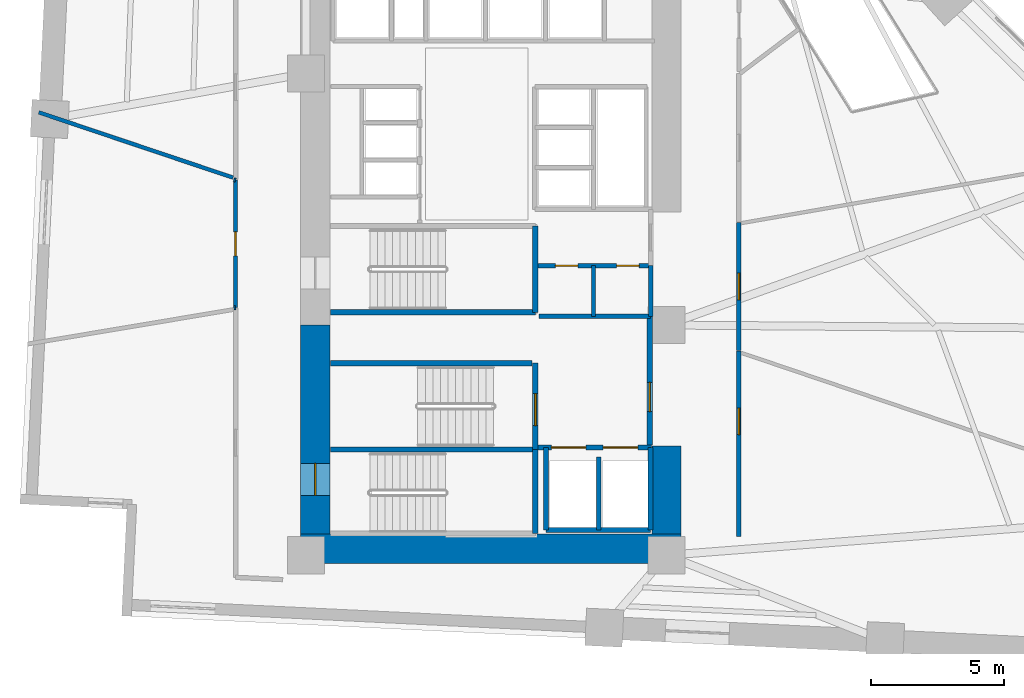
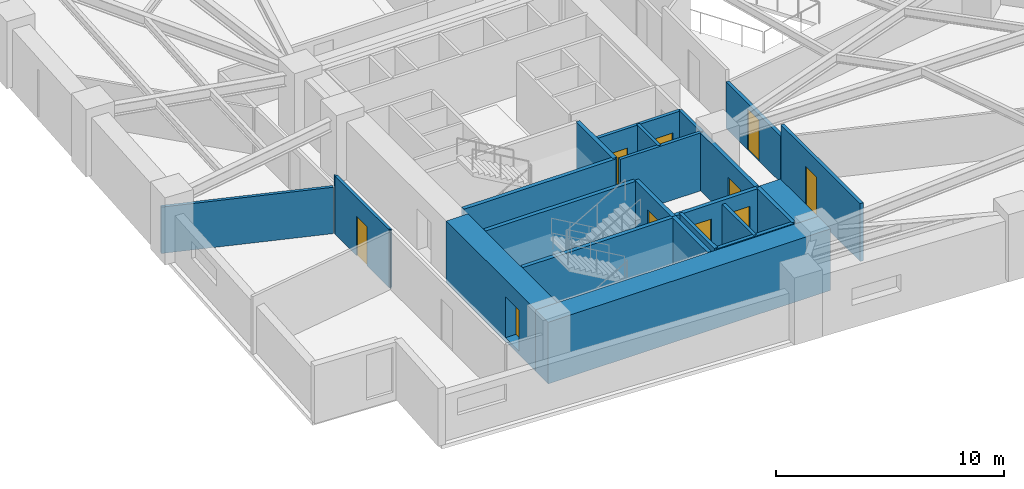
# One storey, part 13 of 17: 25 walls, 10 doors, 10 openings.
"""IFC4 building model written with IfcOpenShell, lengths in metres."""

from ifc_helpers import new_model, si_unit, direction, frame, frame_2d, origin, place, context, subcontext, project, spatial, rectangle, extrude, material, layer, layer_set, type_object, element, fill, save


model = new_model("IFC4")

# Units and contexts
model_context = context("Model", 3, precision=1e-05, world=origin(), true_north=direction((0.0, 1.0)))
body_context = subcontext(model_context, "Body", "Model", "MODEL_VIEW")
ifc_project = project(units=[si_unit("LENGTHUNIT", "METRE"), si_unit("AREAUNIT", "SQUARE_METRE"), si_unit("VOLUMEUNIT", "CUBIC_METRE"), si_unit("PLANEANGLEUNIT", "RADIAN"), si_unit("MASSUNIT", "GRAM", prefix="KILO")], contexts=[model_context])

# Site, building, storey
site_placement = place(None, origin())
site = spatial("IfcSite", under=ifc_project, at=site_placement, CompositionType="ELEMENT")
building_placement = place(site_placement, origin())
building = spatial("IfcBuilding", under=site, at=building_placement, Name="Narakoshi Arena Tower", CompositionType="ELEMENT")
storey_placement = place(building_placement, frame((0.0, 0.0, 55.5)))
storey = spatial("IfcBuildingStorey", under=building, at=storey_placement, Name="L14", CompositionType="ELEMENT", Elevation=55.5)

# Wall, opening, door
ifc_material_1 = material(Name="Concrete C60/75", Category="concrete")
ifc_layer_1 = layer(ifc_material_1, 1.10009765625)
ifc_layer_set_1 = layer_set([ifc_layer_1], Name="Concrete C60/75")
wall_type_1 = type_object("IfcWallType", Name="WL-CORE-1100", PredefinedType="SHEAR", material=ifc_layer_set_1)
wall_1_placement = place(storey_placement, frame((72.35009765625, 35.5, -0.199951171875), z_axis=(0.0, 0.0, 1.0), x_axis=(0.0, 1.0, 0.0)))
wall_1 = element("IfcWall", 1, at=wall_1_placement, inside=storey, type_object=wall_type_1, Name="L14 Central Core Shear Wall CW-APX-W", PredefinedType="SHEAR", context=body_context, shape_type="SweptSolid", body=[
    extrude(rectangle(XDim=7.85009765625, YDim=1.10009765625, at=frame_2d((3.925048828125, 0.0))), origin(), (0.0, 0.0, 1.0), 3.300048828125),
])
opening_1_placement = place(wall_1_placement, frame((1.449951171875, 0.0, 0.199951171875)))
opening_1 = element("IfcOpeningElement", 2, at=opening_1_placement, cuts=wall_1, Name="Opening D-03", PredefinedType="OPENING", context=body_context, shape_type="SweptSolid", body=[
    extrude(rectangle(XDim=1.199951171875, YDim=2.199951171875, at=frame_2d((0.60009765625, 1.10009765625))), frame((0.0, 0.56005859375, 0.0), z_axis=(0.0, -1.0, 0.0), x_axis=(1.0, 0.0, 0.0)), (0.0, 0.0, 1.0), 1.1201171875),
])
ifc_material_2 = material(Name="Painted galvanized steel", Category="steel")
door_type_1 = type_object("IfcDoorType", Name="DR-STR-1200", OperationType="NOTDEFINED", PredefinedType="USERDEFINED", material=ifc_material_2)
door_1_placement = place(opening_1_placement, frame((1.199951171875, 0.0, 0.0), z_axis=(0.0, 0.0, 1.0), x_axis=(-1.0, 0.0, 0.0)))
door_1 = element("IfcDoor", 3, at=door_1_placement, inside=storey, type_object=door_type_1, Name="DR-L14-001", ObjectType="EXITDOOR", OperationType="SINGLE_SWING_LEFT", OverallHeight=2.199951171875, OverallWidth=1.199951171875, PredefinedType="USERDEFINED", context=body_context, shape_type="SweptSolid", body=[
    extrude(rectangle(XDim=1.199951171875, YDim=2.199951171875, at=frame_2d((0.60009765625, 1.10009765625))), frame((0.0, 0.02490234375, 0.0), z_axis=(0.0, -1.0, 0.0), x_axis=(1.0, 0.0, 0.0)), (0.0, 0.0, 1.0), 0.050048828125),
])
fill(opening_1, door_1)

# Walls
wall_2_placement = place(storey_placement, frame((71.800048828125, 34.949951171875, -0.199951171875), z_axis=(0.0, 0.0, 1.0), x_axis=(1.0, 0.0, 0.0)))
element("IfcWall", 4, at=wall_2_placement, inside=storey, type_object=wall_type_1, Name="L14 Central Core Shear Wall CW-APX-S", PredefinedType="SHEAR", context=body_context, shape_type="SweptSolid", body=[
    extrude(rectangle(XDim=14.300048828125, YDim=1.10009765625, at=frame_2d((7.14990234375, 0.0))), origin(), (0.0, 0.0, 1.0), 3.300048828125),
])
wall_3_placement = place(storey_placement, frame((85.550048828125, 35.5, -0.199951171875), z_axis=(0.0, 0.0, 1.0), x_axis=(0.0, 1.0, 0.0)))
element("IfcWall", 5, at=wall_3_placement, inside=storey, type_object=wall_type_1, Name="L14 Central Core Shear Wall CW-APX-E", PredefinedType="SHEAR", context=body_context, shape_type="SweptSolid", body=[
    extrude(rectangle(XDim=3.300048828125, YDim=1.10009765625, at=frame_2d((1.64990234375, 0.0))), origin(), (0.0, 0.0, 1.0), 3.300048828125),
])

# Wall, opening, door
ifc_material_3 = material(Name="Gypsum plasterboard fire-rated partition")
ifc_layer_2 = layer(ifc_material_3, 0.1650390625)
ifc_layer_set_2 = layer_set([ifc_layer_2], Name="Gypsum plasterboard fire-rated partition")
wall_type_2 = type_object("IfcWallType", Name="WL-CORR-165", PredefinedType="PARTITIONING", material=ifc_layer_set_2)
wall_4_placement = place(storey_placement, frame((88.265625, 35.41357421875, 0.0), z_axis=(0.0, 0.0, 1.0), x_axis=(0.0, 1.0, 0.0)))
wall_4 = element("IfcWall", 6, at=wall_4_placement, inside=storey, type_object=wall_type_2, Name="L14 Corridor Partition 02-1", PredefinedType="PARTITIONING", context=body_context, shape_type="SweptSolid", body=[
    extrude(rectangle(XDim=6.960693359375, YDim=0.1650390625, at=frame_2d((3.48046875, 0.0))), origin(), (0.0, 0.0, 1.0), 3.10009765625),
])
opening_2_placement = place(wall_4_placement, frame((3.814453125, 0.0, 0.0)))
opening_2 = element("IfcOpeningElement", 7, at=opening_2_placement, cuts=wall_4, Name="Opening D-06", PredefinedType="OPENING", context=body_context, shape_type="SweptSolid", body=[
    extrude(rectangle(XDim=1.0, YDim=2.199951171875, at=frame_2d((0.5, 1.10009765625))), frame((0.0, 0.092529296875, 0.0), z_axis=(0.0, -1.0, 0.0), x_axis=(1.0, 0.0, 0.0)), (0.0, 0.0, 1.0), 0.18505859375),
])
ifc_material_4 = material(Name="Stained oak solid-core timber", Category="wood")
door_type_2 = type_object("IfcDoorType", Name="DR-OFF-1000", OperationType="NOTDEFINED", PredefinedType="DOOR", material=ifc_material_4)
door_2_placement = place(opening_2_placement, frame((1.0, 0.0, 0.0), z_axis=(0.0, 0.0, 1.0), x_axis=(-1.0, 0.0, 0.0)))
door_2 = element("IfcDoor", 8, at=door_2_placement, inside=storey, type_object=door_type_2, Name="DR-L14-015", OperationType="SINGLE_SWING_LEFT", OverallHeight=2.199951171875, OverallWidth=1.0, PredefinedType="DOOR", context=body_context, shape_type="SweptSolid", body=[
    extrude(rectangle(XDim=1.0, YDim=2.199951171875, at=frame_2d((0.5, 1.10009765625))), frame((0.0, 0.02490234375, 0.0), z_axis=(0.0, -1.0, 0.0), x_axis=(1.0, 0.0, 0.0)), (0.0, 0.0, 1.0), 0.050048828125),
])
fill(opening_2, door_2)

wall_5_placement = place(storey_placement, frame((88.265625, 42.3994140625, 0.0), z_axis=(0.0, 0.0, 1.0), x_axis=(0.0, 1.0, 0.0)))
wall_5 = element("IfcWall", 9, at=wall_5_placement, inside=storey, type_object=wall_type_2, Name="L14 Corridor Partition 03-1", PredefinedType="PARTITIONING", context=body_context, shape_type="SweptSolid", body=[
    extrude(rectangle(XDim=4.7978515625, YDim=0.1650390625, at=frame_2d((2.39892578125, 0.0))), origin(), (0.0, 0.0, 1.0), 2.485107421875),
])
opening_3_placement = place(wall_5_placement, frame((1.89892578125, 0.0, 0.0)))
opening_3 = element("IfcOpeningElement", 10, at=opening_3_placement, cuts=wall_5, Name="Opening D-06", PredefinedType="OPENING", context=body_context, shape_type="SweptSolid", body=[
    extrude(rectangle(XDim=1.0, YDim=2.199951171875, at=frame_2d((0.5, 1.10009765625))), frame((0.0, 0.092529296875, 0.0), z_axis=(0.0, -1.0, 0.0), x_axis=(1.0, 0.0, 0.0)), (0.0, 0.0, 1.0), 0.18505859375),
])
door_3_placement = place(opening_3_placement, frame((1.0, 0.0, 0.0), z_axis=(0.0, 0.0, 1.0), x_axis=(-1.0, 0.0, 0.0)))
door_3 = element("IfcDoor", 11, at=door_3_placement, inside=storey, type_object=door_type_2, Name="DR-L14-016", OperationType="SINGLE_SWING_RIGHT", OverallHeight=2.199951171875, OverallWidth=1.0, PredefinedType="DOOR", context=body_context, shape_type="SweptSolid", body=[
    extrude(rectangle(XDim=1.0, YDim=2.199951171875, at=frame_2d((0.5, 1.10009765625))), frame((0.0, 0.02490234375, 0.0), z_axis=(0.0, -1.0, 0.0), x_axis=(1.0, 0.0, 0.0)), (0.0, 0.0, 1.0), 0.050048828125),
])
fill(opening_3, door_3)

# Walls
ifc_material_5 = material(Name="Concrete C40/50", Category="concrete")
ifc_layer_3 = layer(ifc_material_5, 0.280029296875)
ifc_layer_set_3 = layer_set([ifc_layer_3], Name="Concrete C40/50")
wall_type_3 = type_object("IfcWallType", Name="WL-RISER-280", PredefinedType="PLUMBINGWALL", material=ifc_layer_set_3)
wall_6_placement = place(storey_placement, frame((83.0, 35.64990234375, 0.0), z_axis=(0.0, 0.0, 1.0), x_axis=(0.0, 1.0, 0.0)))
element("IfcWall", 12, at=wall_6_placement, inside=storey, type_object=wall_type_3, Name="L14 Core Wall FF-DIV", PredefinedType="PLUMBINGWALL", context=body_context, shape_type="SweptSolid", body=[
    extrude(rectangle(XDim=2.75, YDim=0.159912109375, at=frame_2d((1.375, 0.0))), origin(), (0.0, 0.0, 1.0), 3.10009765625),
])
wall_7_placement = place(storey_placement, frame((84.949951171875, 43.679931640625, 0.0), z_axis=(0.0, 0.0, 1.0), x_axis=(0.0, 1.0, 0.0)))
element("IfcWall", 13, at=wall_7_placement, inside=storey, type_object=wall_type_3, Name="L14 Core Wall RSR-E", PredefinedType="PLUMBINGWALL", context=body_context, shape_type="SweptSolid", body=[
    extrude(rectangle(XDim=1.900146484375, YDim=0.1650390625, at=frame_2d((0.9501953125, 0.0))), origin(), (0.0, 0.0, 1.0), 3.10009765625),
])

# Wall, openings, doors
wall_8_placement = place(storey_placement, frame((80.719970703125, 45.580078125, 0.0), z_axis=(0.0, 0.0, 1.0), x_axis=(1.0, 0.0, 0.0)))
wall_8 = element("IfcWall", 14, at=wall_8_placement, inside=storey, type_object=wall_type_3, Name="L14 Core Wall RSR-N", PredefinedType="PLUMBINGWALL", context=body_context, shape_type="SweptSolid", body=[
    extrude(rectangle(XDim=4.22998046875, YDim=0.159912109375, at=frame_2d((2.114990234375, 0.0))), origin(), (0.0, 0.0, 1.0), 3.10009765625),
])
opening_4_placement = place(wall_8_placement, frame((0.64990234375, 0.0, 0.0)))
opening_4 = element("IfcOpeningElement", 15, at=opening_4_placement, cuts=wall_8, Name="Opening D-10", PredefinedType="OPENING", context=body_context, shape_type="SweptSolid", body=[
    extrude(rectangle(XDim=0.85009765625, YDim=2.050048828125, at=frame_2d((0.425048828125, 1.02490234375))), frame((0.0, 0.08984375, 0.0), z_axis=(0.0, -1.0, 0.0), x_axis=(1.0, 0.0, 0.0)), (0.0, 0.0, 1.0), 0.179931640625),
])
opening_5_placement = place(wall_8_placement, frame((2.949951171875, 0.0, 0.0)))
opening_5 = element("IfcOpeningElement", 16, at=opening_5_placement, cuts=wall_8, Name="Opening D-10", PredefinedType="OPENING", context=body_context, shape_type="SweptSolid", body=[
    extrude(rectangle(XDim=0.85009765625, YDim=2.050048828125, at=frame_2d((0.425048828125, 1.02490234375))), frame((0.0, 0.08984375, 0.0), z_axis=(0.0, -1.0, 0.0), x_axis=(1.0, 0.0, 0.0)), (0.0, 0.0, 1.0), 0.179931640625),
])
door_type_3 = type_object("IfcDoorType", Name="DR-RSR-850", OperationType="NOTDEFINED", PredefinedType="DOOR", material=ifc_material_2)
door_4_placement = place(opening_4_placement, frame((0.85009765625, 0.0, 0.0), z_axis=(0.0, 0.0, 1.0), x_axis=(-1.0, 0.0, 0.0)))
door_4 = element("IfcDoor", 17, at=door_4_placement, inside=storey, type_object=door_type_3, Name="DR-L14-008", OperationType="SINGLE_SWING_LEFT", OverallHeight=2.050048828125, OverallWidth=0.85009765625, PredefinedType="DOOR", context=body_context, shape_type="SweptSolid", body=[
    extrude(rectangle(XDim=0.85009765625, YDim=2.050048828125, at=frame_2d((0.425048828125, 1.02490234375))), frame((0.0, 0.02490234375, 0.0), z_axis=(0.0, -1.0, 0.0), x_axis=(1.0, 0.0, 0.0)), (0.0, 0.0, 1.0), 0.050048828125),
])
fill(opening_4, door_4)
door_5_placement = place(opening_5_placement, frame((0.85009765625, 0.0, 0.0), z_axis=(0.0, 0.0, 1.0), x_axis=(-1.0, 0.0, 0.0)))
door_5 = element("IfcDoor", 18, at=door_5_placement, inside=storey, type_object=door_type_3, Name="DR-L14-009", OperationType="SINGLE_SWING_RIGHT", OverallHeight=2.050048828125, OverallWidth=0.85009765625, PredefinedType="DOOR", context=body_context, shape_type="SweptSolid", body=[
    extrude(rectangle(XDim=0.85009765625, YDim=2.050048828125, at=frame_2d((0.425048828125, 1.02490234375))), frame((0.0, 0.02490234375, 0.0), z_axis=(0.0, -1.0, 0.0), x_axis=(1.0, 0.0, 0.0)), (0.0, 0.0, 1.0), 0.050048828125),
])
fill(opening_5, door_5)

# Walls
wall_9_placement = place(storey_placement, frame((80.760009765625, 43.679931640625, 0.0), z_axis=(0.0, 0.0, 1.0), x_axis=(1.0, 0.0, 0.0)))
element("IfcWall", 19, at=wall_9_placement, inside=storey, type_object=wall_type_3, Name="L14 Core Wall RSR-S", PredefinedType="PLUMBINGWALL", context=body_context, shape_type="SweptSolid", body=[
    extrude(rectangle(XDim=4.18994140625, YDim=0.159912109375, at=frame_2d((2.094970703125, 0.0))), origin(), (0.0, 0.0, 1.0), 3.10009765625),
])
wall_10_placement = place(storey_placement, frame((82.800048828125, 43.679931640625, 0.0), z_axis=(0.0, 0.0, 1.0), x_axis=(0.0, 1.0, 0.0)))
element("IfcWall", 20, at=wall_10_placement, inside=storey, type_object=wall_type_3, Name="L14 Core Wall RSR-M", PredefinedType="PLUMBINGWALL", context=body_context, shape_type="SweptSolid", body=[
    extrude(rectangle(XDim=1.900146484375, YDim=0.159912109375, at=frame_2d((0.9501953125, 0.0))), origin(), (0.0, 0.0, 1.0), 3.10009765625),
])
ifc_material_6 = material(Name="Concrete C50/60", Category="concrete")
ifc_layer_4 = layer(ifc_material_6, 0.35009765625)
ifc_layer_set_4 = layer_set([ifc_layer_4], Name="Concrete C50/60")
wall_type_4 = type_object("IfcWallType", Name="WL-SHAFT-350", PredefinedType="SOLIDWALL", material=ifc_layer_set_4)
wall_11_placement = place(storey_placement, frame((72.919921875, 38.675048828125, -0.199951171875), z_axis=(0.0, 0.0, 1.0), x_axis=(1.0, 0.0, 0.0)))
element("IfcWall", 21, at=wall_11_placement, inside=storey, type_object=wall_type_4, Name="L14 Core Wall ST12-DIV", PredefinedType="SOLIDWALL", context=body_context, shape_type="SweptSolid", body=[
    extrude(rectangle(XDim=7.7001953125, YDim=0.199951171875, at=frame_2d((3.85009765625, 0.0))), origin(), (0.0, 0.0, 1.0), 3.300048828125),
])
wall_12_placement = place(storey_placement, frame((80.6201171875, 35.52001953125, -0.199951171875), z_axis=(0.0, 0.0, 1.0), x_axis=(0.0, 1.0, 0.0)))
element("IfcWall", 22, at=wall_12_placement, inside=storey, type_object=wall_type_4, Name="L14 Core Wall ST1-E", PredefinedType="SOLIDWALL", context=body_context, shape_type="SweptSolid", body=[
    extrude(rectangle(XDim=3.155029296875, YDim=0.199951171875, at=frame_2d((1.57763671875, 0.0))), origin(), (0.0, 0.0, 1.0), 3.300048828125),
])

# Wall, opening, door
wall_13_placement = place(storey_placement, frame((80.6201171875, 38.675048828125, -0.199951171875), z_axis=(0.0, 0.0, 1.0), x_axis=(0.0, 1.0, 0.0)))
wall_13 = element("IfcWall", 23, at=wall_13_placement, inside=storey, type_object=wall_type_4, Name="L14 Core Wall ST2-E", PredefinedType="SOLIDWALL", context=body_context, shape_type="SweptSolid", body=[
    extrude(rectangle(XDim=3.244873046875, YDim=0.199951171875, at=frame_2d((1.62255859375, 0.0))), origin(), (0.0, 0.0, 1.0), 3.300048828125),
])
opening_6_placement = place(wall_13_placement, frame((0.89990234375, 0.0, 0.199951171875)))
opening_6 = element("IfcOpeningElement", 24, at=opening_6_placement, cuts=wall_13, Name="Opening D-03", PredefinedType="OPENING", context=body_context, shape_type="SweptSolid", body=[
    extrude(rectangle(XDim=1.199951171875, YDim=2.199951171875, at=frame_2d((0.60009765625, 1.10009765625))), frame((0.0, 0.10986328125, 0.0), z_axis=(0.0, -1.0, 0.0), x_axis=(1.0, 0.0, 0.0)), (0.0, 0.0, 1.0), 0.219970703125),
])
door_6_placement = place(opening_6_placement, origin())
door_6 = element("IfcDoor", 25, at=door_6_placement, inside=storey, type_object=door_type_1, Name="DR-L14-002", ObjectType="EXITDOOR", OperationType="SINGLE_SWING_RIGHT", OverallHeight=2.199951171875, OverallWidth=1.199951171875, PredefinedType="USERDEFINED", context=body_context, shape_type="SweptSolid", body=[
    extrude(rectangle(XDim=1.199951171875, YDim=2.199951171875, at=frame_2d((0.60009765625, 1.10009765625))), frame((0.0, 0.02490234375, 0.0), z_axis=(0.0, -1.0, 0.0), x_axis=(1.0, 0.0, 0.0)), (0.0, 0.0, 1.0), 0.050048828125),
])
fill(opening_6, door_6)

# Wall, openings, doors
wall_14_placement = place(storey_placement, frame((80.719970703125, 38.75, 0.0), z_axis=(0.0, 0.0, 1.0), x_axis=(1.0, 0.0, 0.0)))
wall_14 = element("IfcWall", 26, at=wall_14_placement, inside=storey, type_object=wall_type_4, Name="L14 Core Wall FF-N", PredefinedType="SOLIDWALL", context=body_context, shape_type="SweptSolid", body=[
    extrude(rectangle(XDim=4.260009765625, YDim=0.199951171875, at=frame_2d((2.1298828125, 0.0))), origin(), (0.0, 0.0, 1.0), 3.10009765625),
])
opening_7_placement = place(wall_14_placement, frame((0.5, 0.0, 0.0)))
opening_7 = element("IfcOpeningElement", 27, at=opening_7_placement, cuts=wall_14, Name="Opening LD-02", PredefinedType="OPENING", context=body_context, shape_type="SweptSolid", body=[
    extrude(rectangle(XDim=1.300048828125, YDim=2.300048828125, at=frame_2d((0.64990234375, 1.14990234375))), frame((0.0, 0.10986328125, 0.0), z_axis=(0.0, -1.0, 0.0), x_axis=(1.0, 0.0, 0.0)), (0.0, 0.0, 1.0), 0.219970703125),
])
opening_8_placement = place(wall_14_placement, frame((2.449951171875, 0.0, 0.0)))
opening_8 = element("IfcOpeningElement", 28, at=opening_8_placement, cuts=wall_14, Name="Opening LD-02", PredefinedType="OPENING", context=body_context, shape_type="SweptSolid", body=[
    extrude(rectangle(XDim=1.300048828125, YDim=2.300048828125, at=frame_2d((0.64990234375, 1.14990234375))), frame((0.0, 0.10986328125, 0.0), z_axis=(0.0, -1.0, 0.0), x_axis=(1.0, 0.0, 0.0)), (0.0, 0.0, 1.0), 0.219970703125),
])
ifc_material_7 = material(Name="Brushed bronze stainless steel", Category="steel")
door_type_4 = type_object("IfcDoorType", Name="DR-LFT-1300", OperationType="DOUBLE_DOOR_SLIDING", PredefinedType="DOOR", material=ifc_material_7)
door_7_placement = place(opening_7_placement, origin())
door_7 = element("IfcDoor", 29, at=door_7_placement, inside=storey, type_object=door_type_4, Name="DR-L14-003", OperationType="DOUBLE_DOOR_SLIDING", OverallHeight=2.300048828125, OverallWidth=1.300048828125, PredefinedType="DOOR", context=body_context, shape_type="SweptSolid", body=[
    extrude(rectangle(XDim=1.300048828125, YDim=2.300048828125, at=frame_2d((0.64990234375, 1.14990234375))), frame((0.0, 0.02490234375, 0.0), z_axis=(0.0, -1.0, 0.0), x_axis=(1.0, 0.0, 0.0)), (0.0, 0.0, 1.0), 0.050048828125),
])
fill(opening_7, door_7)
door_8_placement = place(opening_8_placement, origin())
door_8 = element("IfcDoor", 30, at=door_8_placement, inside=storey, type_object=door_type_4, Name="DR-L14-004", OperationType="DOUBLE_DOOR_SLIDING", OverallHeight=2.300048828125, OverallWidth=1.300048828125, PredefinedType="DOOR", context=body_context, shape_type="SweptSolid", body=[
    extrude(rectangle(XDim=1.300048828125, YDim=2.300048828125, at=frame_2d((0.64990234375, 1.14990234375))), frame((0.0, 0.02490234375, 0.0), z_axis=(0.0, -1.0, 0.0), x_axis=(1.0, 0.0, 0.0)), (0.0, 0.0, 1.0), 0.050048828125),
])
fill(opening_8, door_8)

# Walls
for number, where, z_axis, x_axis, name in (
    (31, (84.949951171875, 35.64990234375, 0.0), (0.0, 0.0, 1.0), (0.0, 1.0, 0.0), "L14 Core Wall FF-E"),
    (32, (81.02001953125, 35.64990234375, 0.0), (0.0, 0.0, 1.0), (0.0, 1.0, 0.0), "L14 Core Wall FF-W"),
):
    element("IfcWall", number, at=place(storey_placement, frame(where, z_axis=z_axis, x_axis=x_axis)), inside=storey, type_object=wall_type_4, Name=name, PredefinedType="SOLIDWALL", context=body_context, shape_type="SweptSolid", body=[
        extrude(rectangle(XDim=3.10009765625, YDim=0.179931640625, at=frame_2d((1.550048828125, 0.0))), origin(), (0.0, 0.0, 1.0), 3.10009765625),
    ])
wall_15_placement = place(storey_placement, frame((81.02001953125, 35.64990234375, 0.0), z_axis=(0.0, 0.0, 1.0), x_axis=(1.0, 0.0, 0.0)))
element("IfcWall", 33, at=wall_15_placement, inside=storey, type_object=wall_type_4, Name="L14 Core Wall FF-S", PredefinedType="SOLIDWALL", context=body_context, shape_type="SweptSolid", body=[
    extrude(rectangle(XDim=3.929931640625, YDim=0.179931640625, at=frame_2d((1.96484375, 0.0))), origin(), (0.0, 0.0, 1.0), 3.10009765625),
])

# Wall, opening, door
wall_16_placement = place(storey_placement, frame((84.919921875, 38.85009765625, 0.0), z_axis=(0.0, 0.0, 1.0), x_axis=(0.0, 1.0, 0.0)))
wall_16 = element("IfcWall", 34, at=wall_16_placement, inside=storey, type_object=wall_type_4, Name="L14 Core Wall FFLOB-E", PredefinedType="SOLIDWALL", context=body_context, shape_type="SweptSolid", body=[
    extrude(rectangle(XDim=4.829833984375, YDim=0.199951171875, at=frame_2d((2.4150390625, 0.0))), origin(), (0.0, 0.0, 1.0), 3.10009765625),
])
opening_9_placement = place(wall_16_placement, frame((1.25, 0.0, 0.0)))
opening_9 = element("IfcOpeningElement", 35, at=opening_9_placement, cuts=wall_16, Name="Opening D-04", PredefinedType="OPENING", context=body_context, shape_type="SweptSolid", body=[
    extrude(rectangle(XDim=1.10009765625, YDim=2.199951171875, at=frame_2d((0.550048828125, 1.10009765625))), frame((0.0, 0.10986328125, 0.0), z_axis=(0.0, -1.0, 0.0), x_axis=(1.0, 0.0, 0.0)), (0.0, 0.0, 1.0), 0.219970703125),
])
door_type_5 = type_object("IfcDoorType", Name="DR-FFL-1100", OperationType="NOTDEFINED", PredefinedType="DOOR", material=ifc_material_2)
door_9_placement = place(opening_9_placement, frame((1.10009765625, 0.0, 0.0), z_axis=(0.0, 0.0, 1.0), x_axis=(-1.0, 0.0, 0.0)))
door_9 = element("IfcDoor", 36, at=door_9_placement, inside=storey, type_object=door_type_5, Name="DR-L14-005", OperationType="SINGLE_SWING_RIGHT", OverallHeight=2.199951171875, OverallWidth=1.10009765625, PredefinedType="DOOR", context=body_context, shape_type="SweptSolid", body=[
    extrude(rectangle(XDim=1.10009765625, YDim=2.199951171875, at=frame_2d((0.550048828125, 1.10009765625))), frame((0.0, 0.02490234375, 0.0), z_axis=(0.0, -1.0, 0.0), x_axis=(1.0, 0.0, 0.0)), (0.0, 0.0, 1.0), 0.050048828125),
])
fill(opening_9, door_9)

# Walls
wall_17_placement = place(storey_placement, frame((72.919921875, 41.919921875, -0.199951171875), z_axis=(0.0, 0.0, 1.0), x_axis=(1.0, 0.0, 0.0)))
element("IfcWall", 37, at=wall_17_placement, inside=storey, type_object=wall_type_4, Name="L14 Core Wall ST2-N", PredefinedType="SOLIDWALL", context=body_context, shape_type="SweptSolid", body=[
    extrude(rectangle(XDim=7.580078125, YDim=0.199951171875, at=frame_2d((3.7900390625, 0.0))), origin(), (0.0, 0.0, 1.0), 3.300048828125),
])
wall_18_placement = place(storey_placement, frame((72.919921875, 43.830078125, -0.199951171875), z_axis=(0.0, 0.0, 1.0), x_axis=(1.0, 0.0, 0.0)))
element("IfcWall", 38, at=wall_18_placement, inside=storey, type_object=wall_type_4, Name="L14 Core Wall ST3-S", PredefinedType="SOLIDWALL", context=body_context, shape_type="SweptSolid", body=[
    extrude(rectangle(XDim=7.7001953125, YDim=0.199951171875, at=frame_2d((3.85009765625, 0.0))), origin(), (0.0, 0.0, 1.0), 3.300048828125),
])
wall_19_placement = place(storey_placement, frame((80.6201171875, 43.830078125, -0.199951171875), z_axis=(0.0, 0.0, 1.0), x_axis=(0.0, 1.0, 0.0)))
element("IfcWall", 39, at=wall_19_placement, inside=storey, type_object=wall_type_4, Name="L14 Core Wall ST3-E", PredefinedType="SOLIDWALL", context=body_context, shape_type="SweptSolid", body=[
    extrude(rectangle(XDim=3.239990234375, YDim=0.199951171875, at=frame_2d((1.6201171875, 0.0))), origin(), (0.0, 0.0, 1.0), 3.300048828125),
])
ifc_material_8 = material(Name="Moisture-resistant cement-board partition")
ifc_layer_5 = layer(ifc_material_8, 0.14501953125)
ifc_layer_set_5 = layer_set([ifc_layer_5], Name="Moisture-resistant cement-board partition")
wall_type_5 = type_object("IfcWallType", Name="WL-WET-145", PredefinedType="PARTITIONING", material=ifc_layer_set_5)
wall_20_placement = place(storey_placement, frame((69.262939453125, 48.8876953125, 0.0), z_axis=(0.0, 0.0, 1.0), x_axis=(-0.947925908632, 0.318490928825, 0.0)))
element("IfcWall", 40, at=wall_20_placement, inside=storey, type_object=wall_type_5, Name="L14 Inter-Room Partition 08-09", PredefinedType="PARTITIONING", context=body_context, shape_type="SweptSolid", body=[
    extrude(rectangle(XDim=7.69921875, YDim=0.14501953125, at=frame_2d((3.849609375, 0.0))), origin(), (0.0, 0.0, 1.0), 2.485107421875),
])

# Wall, opening, door
wall_21_placement = place(storey_placement, frame((69.357421875, 48.79248046875, 0.0), z_axis=(0.0, 0.0, 1.0), x_axis=(0.0, -1.0, 0.0)))
wall_21 = element("IfcWall", 41, at=wall_21_placement, inside=storey, type_object=wall_type_5, Name="L14 Corridor Partition 09-1", PredefinedType="PARTITIONING", context=body_context, shape_type="SweptSolid", body=[
    extrude(rectangle(XDim=4.785888671875, YDim=0.14501953125, at=frame_2d((2.39306640625, 0.0))), origin(), (0.0, 0.0, 1.0), 3.10009765625),
])
opening_10_placement = place(wall_21_placement, frame((1.943115234375, 0.0, 0.0)))
opening_10 = element("IfcOpeningElement", 42, at=opening_10_placement, cuts=wall_21, Name="Opening D-08", PredefinedType="OPENING", context=body_context, shape_type="SweptSolid", body=[
    extrude(rectangle(XDim=0.89990234375, YDim=2.10009765625, at=frame_2d((0.449951171875, 1.050048828125))), frame((0.0, 0.08251953125, 0.0), z_axis=(0.0, -1.0, 0.0), x_axis=(1.0, 0.0, 0.0)), (0.0, 0.0, 1.0), 0.1650390625),
])
ifc_material_9 = material(Name="Moisture-resistant laminate timber", Category="wood")
door_type_6 = type_object("IfcDoorType", Name="DR-WC-900", OperationType="NOTDEFINED", PredefinedType="DOOR", material=ifc_material_9)
door_10_placement = place(opening_10_placement, frame((0.89990234375, 0.0, 0.0), z_axis=(0.0, 0.0, 1.0), x_axis=(-1.0, 0.0, 0.0)))
door_10 = element("IfcDoor", 43, at=door_10_placement, inside=storey, type_object=door_type_6, Name="DR-L14-022", OperationType="SINGLE_SWING_RIGHT", OverallHeight=2.10009765625, OverallWidth=0.89990234375, PredefinedType="DOOR", context=body_context, shape_type="SweptSolid", body=[
    extrude(rectangle(XDim=0.89990234375, YDim=2.10009765625, at=frame_2d((0.449951171875, 1.050048828125))), frame((0.0, 0.02490234375, 0.0), z_axis=(0.0, -1.0, 0.0), x_axis=(1.0, 0.0, 0.0)), (0.0, 0.0, 1.0), 0.050048828125),
])
fill(opening_10, door_10)

# Walls
wall_22_placement = place(storey_placement, frame((69.297607421875, 48.81298828125, 0.0), z_axis=(0.0, 0.0, 1.0), x_axis=(0.945945945946, -0.324324324324, 0.0)))
element("IfcWall", 44, at=wall_22_placement, inside=storey, type_object=wall_type_5, Name="L14 Corridor Partition 09-2", PredefinedType="PARTITIONING", context=body_context, shape_type="SweptSolid", body=[
    extrude(rectangle(XDim=0.063232421875, YDim=0.14501953125, at=frame_2d((0.03173828125, 0.0))), origin(), (0.0, 0.0, 1.0), 3.10009765625),
])
wall_23_placement = place(storey_placement, frame((69.357421875, 44.006591796875, 0.0), z_axis=(0.0, 0.0, 1.0), x_axis=(-0.985622254813, -0.168963815111, 0.0)))
element("IfcWall", 45, at=wall_23_placement, inside=storey, type_object=wall_type_5, Name="L14 Corridor Partition 09-3", PredefinedType="PARTITIONING", context=body_context, shape_type="SweptSolid", body=[
    extrude(rectangle(XDim=0.060791015625, YDim=0.14501953125, at=frame_2d((0.0302734375, 0.0))), origin(), (0.0, 0.0, 1.0), 3.10009765625),
])

save(model, "model.ifc")
